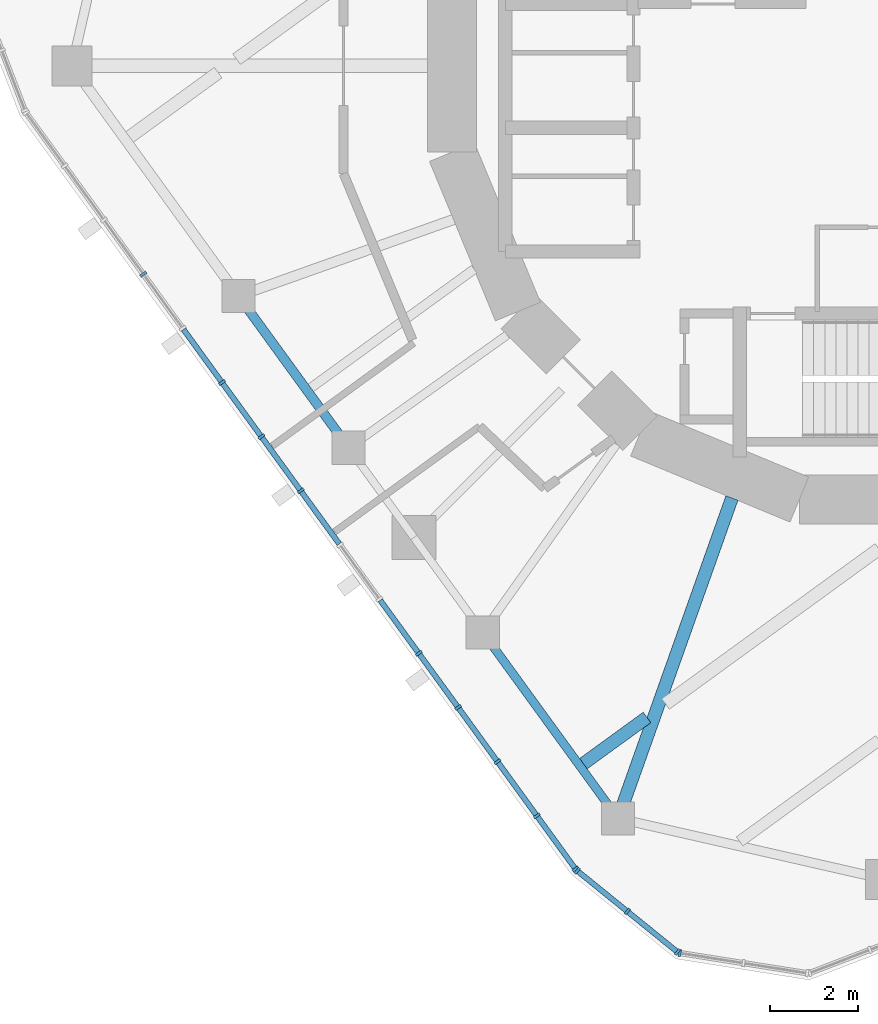
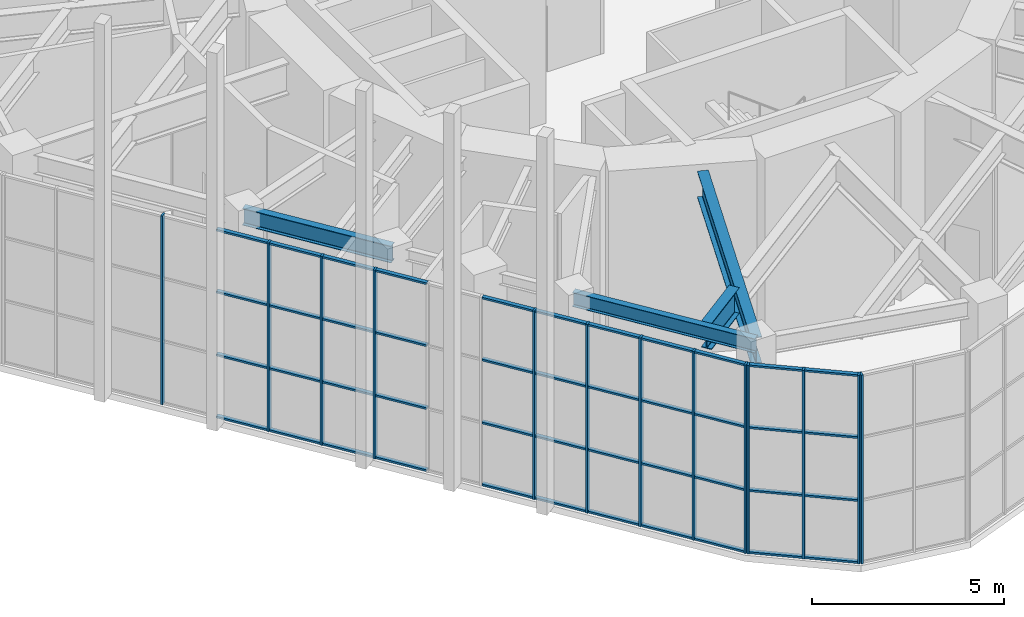
# One storey, part 2 of 17: 57 members, 4 beams, 3 elements without a shape of their own.
"""IFC4 building model written with IfcOpenShell, lengths in metres."""

from ifc_helpers import new_model, si_unit, direction, frame, origin, origin_2d, place, context, subcontext, project, spatial, rectangle, i_section, extrude, material, material_profile, profile_set, type_object, element, aggregate, save


model = new_model("IFC4")

# Units and contexts
model_context = context("Model", 3, precision=1e-05, world=origin(), true_north=direction((0.0, 1.0)))
body_context = subcontext(model_context, "Body", "Model", "MODEL_VIEW")
ifc_project = project(units=[si_unit("LENGTHUNIT", "METRE"), si_unit("AREAUNIT", "SQUARE_METRE"), si_unit("VOLUMEUNIT", "CUBIC_METRE"), si_unit("PLANEANGLEUNIT", "RADIAN"), si_unit("MASSUNIT", "GRAM", prefix="KILO")], contexts=[model_context])

# Site, building, storey
site_placement = place(None, origin())
site = spatial("IfcSite", under=ifc_project, at=site_placement, CompositionType="ELEMENT")
building_placement = place(site_placement, origin())
building = spatial("IfcBuilding", under=site, at=building_placement, Name="Nakasero Lantern House", CompositionType="ELEMENT")
storey_placement = place(building_placement, frame((0.0, 0.0, 298.39990234375)))
storey = spatial("IfcBuildingStorey", under=building, at=storey_placement, Name="L73", CompositionType="ELEMENT", Elevation=298.39990234375)

# Beam
ifc_material_1 = material(Name="Steel S355", Category="steel")
ifc_material_profile_1 = material_profile(ifc_material_1, i_section(OverallWidth=0.29248046875, OverallDepth=0.8408203125, WebThickness=0.0146484375, FlangeThickness=0.02685546875, FilletRadius=0.017822265625, at=origin_2d()), Name="UB 838x292x194")
ifc_profile_set_1 = profile_set([ifc_material_profile_1], Name="Steel S355")
beam_type_1 = type_object("IfcBeamType", Name="Infill beam UB 838x292x194", PredefinedType="JOIST", material=ifc_profile_set_1)
beam_1_placement = place(storey_placement, frame((-6.83447265625, -15.781005859375, 5.379638671875), z_axis=(0.809008801443, 0.587796528731, 0.0), x_axis=(-0.587796528731, 0.809008801443, 0.0)))
element("IfcBeam", 1, at=beam_1_placement, inside=storey, type_object=beam_type_1, Name="Infill beam L74 04.1", PredefinedType="JOIST", context=body_context, shape_type="SweptSolid", body=[
    extrude(i_section(OverallWidth=0.29248046875, OverallDepth=0.8408203125, WebThickness=0.0146484375, FlangeThickness=0.02685546875, FilletRadius=0.017822265625, at=origin_2d()), origin(), (0.0, 0.0, 1.0), 1.7802734375),
])

# Curtain wall, members
ifc_material_2 = material(Name="Aluminium 6063-T6 and glass", Category="aluminium")
curtain_wall_type = type_object("IfcCurtainWallType", Name="Lantern glazing CW-4", PredefinedType="USERDEFINED", material=ifc_material_2)
curtain_wall_1_placement = place(storey_placement, origin())
curtain_wall_1 = element("IfcCurtainWall", 2, at=curtain_wall_1_placement, inside=storey, type_object=curtain_wall_type, Name="Curtain wall CW-4 L73", ObjectType="UNITISED CURTAIN WALL", PredefinedType="USERDEFINED")
ifc_material_3 = material(Name="Aluminium 6063-T6", Category="aluminium")
ifc_material_profile_2 = material_profile(ifc_material_3, rectangle(XDim=0.06005859375, YDim=0.159912109375, at=origin_2d()), Name="CW-4 mullion 60x160")
ifc_profile_set_2 = profile_set([ifc_material_profile_2], Name="Aluminium 6063-T6")
member_type_1 = type_object("IfcMemberType", Name="Mullion CW-4", PredefinedType="MULLION", material=ifc_profile_set_2)
member_1_placement = place(storey_placement, frame((-16.787841796875, -4.7099609375, 0.0), z_axis=(0.0, 0.0, 1.0), x_axis=(0.587785252292, -0.809016994375, 0.0)))
member_1 = element("IfcMember", 3, at=member_1_placement, type_object=member_type_1, Name="CW-4 mullion 4", PredefinedType="MULLION", context=body_context, shape_type="SweptSolid", body=[
    extrude(rectangle(XDim=0.06005859375, YDim=0.159912109375, at=origin_2d()), origin(), (0.0, 0.0, 1.0), 6.0),
])
member_2_placement = place(storey_placement, frame((-15.007568359375, -7.16015625, 0.0), z_axis=(0.0, 0.0, 1.0), x_axis=(0.587785252292, -0.809016994375, 0.0)))
member_2 = element("IfcMember", 4, at=member_2_placement, type_object=member_type_1, Name="CW-4 mullion 6", PredefinedType="MULLION", context=body_context, shape_type="SweptSolid", body=[
    extrude(rectangle(XDim=0.06005859375, YDim=0.159912109375, at=origin_2d()), origin(), (0.0, 0.0, 1.0), 6.0),
])
member_3_placement = place(storey_placement, frame((-14.117431640625, -8.38525390625, 0.0), z_axis=(0.0, 0.0, 1.0), x_axis=(0.587785252292, -0.809016994375, 0.0)))
member_3 = element("IfcMember", 5, at=member_3_placement, type_object=member_type_1, Name="CW-4 mullion 7", PredefinedType="MULLION", context=body_context, shape_type="SweptSolid", body=[
    extrude(rectangle(XDim=0.06005859375, YDim=0.159912109375, at=origin_2d()), origin(), (0.0, 0.0, 1.0), 6.0),
])
member_4_placement = place(storey_placement, frame((-13.2275390625, -9.6103515625, 0.0), z_axis=(0.0, 0.0, 1.0), x_axis=(0.587785252292, -0.809016994375, 0.0)))
member_4 = element("IfcMember", 6, at=member_4_placement, type_object=member_type_1, Name="CW-4 mullion 8", PredefinedType="MULLION", context=body_context, shape_type="SweptSolid", body=[
    extrude(rectangle(XDim=0.06005859375, YDim=0.159912109375, at=origin_2d()), origin(), (0.0, 0.0, 1.0), 6.0),
])
member_5_placement = place(storey_placement, frame((-10.55712890625, -13.28564453125, 0.0), z_axis=(0.0, 0.0, 1.0), x_axis=(0.587785252292, -0.809016994375, 0.0)))
member_5 = element("IfcMember", 7, at=member_5_placement, type_object=member_type_1, Name="CW-4 mullion 11", PredefinedType="MULLION", context=body_context, shape_type="SweptSolid", body=[
    extrude(rectangle(XDim=0.06005859375, YDim=0.159912109375, at=origin_2d()), origin(), (0.0, 0.0, 1.0), 6.0),
])
member_6_placement = place(storey_placement, frame((-9.667236328125, -14.5107421875, 0.0), z_axis=(0.0, 0.0, 1.0), x_axis=(0.587785252292, -0.809016994375, 0.0)))
member_6 = element("IfcMember", 8, at=member_6_placement, type_object=member_type_1, Name="CW-4 mullion 12", PredefinedType="MULLION", context=body_context, shape_type="SweptSolid", body=[
    extrude(rectangle(XDim=0.06005859375, YDim=0.159912109375, at=origin_2d()), origin(), (0.0, 0.0, 1.0), 6.0),
])
member_7_placement = place(storey_placement, frame((-8.777099609375, -15.735595703125, 0.0), z_axis=(0.0, 0.0, 1.0), x_axis=(0.587785252292, -0.809016994375, 0.0)))
member_7 = element("IfcMember", 9, at=member_7_placement, type_object=member_type_1, Name="CW-4 mullion 13", PredefinedType="MULLION", context=body_context, shape_type="SweptSolid", body=[
    extrude(rectangle(XDim=0.06005859375, YDim=0.159912109375, at=origin_2d()), origin(), (0.0, 0.0, 1.0), 6.0),
])
member_8_placement = place(storey_placement, frame((-7.886962890625, -16.960693359375, 0.0), z_axis=(0.0, 0.0, 1.0), x_axis=(0.587785252292, -0.809016994375, 0.0)))
member_8 = element("IfcMember", 10, at=member_8_placement, type_object=member_type_1, Name="CW-4 mullion 14", PredefinedType="MULLION", context=body_context, shape_type="SweptSolid", body=[
    extrude(rectangle(XDim=0.06005859375, YDim=0.159912109375, at=origin_2d()), origin(), (0.0, 0.0, 1.0), 6.0),
])
member_9_placement = place(storey_placement, frame((-7.0146484375, -18.16162109375, 0.0), z_axis=(0.0, 0.0, 1.0), x_axis=(0.587785252292, -0.809016994375, 0.0)))
member_9 = element("IfcMember", 11, at=member_9_placement, type_object=member_type_1, Name="CW-4 mullion 15", PredefinedType="MULLION", context=body_context, shape_type="SweptSolid", body=[
    extrude(rectangle(XDim=0.06005859375, YDim=0.159912109375, at=origin_2d()), origin(), (0.0, 0.0, 1.0), 6.0),
])

curtain_wall_2_placement = place(storey_placement, origin())
curtain_wall_2 = element("IfcCurtainWall", 12, at=curtain_wall_2_placement, inside=storey, type_object=curtain_wall_type, Name="Curtain wall CW-4 L73", ObjectType="UNITISED CURTAIN WALL", PredefinedType="USERDEFINED")
member_10_placement = place(storey_placement, frame((-6.9736328125, -18.204833984375, 0.0), z_axis=(0.0, 0.0, 1.0), x_axis=(0.777145961457, -0.62932039105, 0.0)))
member_10 = element("IfcMember", 13, at=member_10_placement, type_object=member_type_1, Name="CW-4 mullion 1", PredefinedType="MULLION", context=body_context, shape_type="SweptSolid", body=[
    extrude(rectangle(XDim=0.06005859375, YDim=0.159912109375, at=origin_2d()), origin(), (0.0, 0.0, 1.0), 6.0),
])
member_11_placement = place(storey_placement, frame((-5.84033203125, -19.122314453125, 0.0), z_axis=(0.0, 0.0, 1.0), x_axis=(0.777145961457, -0.62932039105, 0.0)))
member_11 = element("IfcMember", 14, at=member_11_placement, type_object=member_type_1, Name="CW-4 mullion 2", PredefinedType="MULLION", context=body_context, shape_type="SweptSolid", body=[
    extrude(rectangle(XDim=0.06005859375, YDim=0.159912109375, at=origin_2d()), origin(), (0.0, 0.0, 1.0), 6.0),
])
member_12_placement = place(storey_placement, frame((-4.70703125, -20.0400390625, 0.0), z_axis=(0.0, 0.0, 1.0), x_axis=(0.777145961457, -0.62932039105, 0.0)))
member_12 = element("IfcMember", 15, at=member_12_placement, type_object=member_type_1, Name="CW-4 mullion 3", PredefinedType="MULLION", context=body_context, shape_type="SweptSolid", body=[
    extrude(rectangle(XDim=0.06005859375, YDim=0.159912109375, at=origin_2d()), origin(), (0.0, 0.0, 1.0), 6.0),
])

# Curtain wall, member
curtain_wall_3_placement = place(storey_placement, origin())
curtain_wall_3 = element("IfcCurtainWall", 16, at=curtain_wall_3_placement, inside=storey, type_object=curtain_wall_type, Name="Curtain wall CW-4 L73", ObjectType="UNITISED CURTAIN WALL", PredefinedType="USERDEFINED")
member_13_placement = place(storey_placement, frame((-4.654052734375, -20.063720703125, 0.0), z_axis=(0.0, 0.0, 1.0), x_axis=(0.987688340595, -0.15643446504, 0.0)))
member_13 = element("IfcMember", 17, at=member_13_placement, type_object=member_type_1, Name="CW-4 mullion 1", PredefinedType="MULLION", context=body_context, shape_type="SweptSolid", body=[
    extrude(rectangle(XDim=0.06005859375, YDim=0.159912109375, at=origin_2d()), origin(), (0.0, 0.0, 1.0), 6.0),
])
aggregate(curtain_wall_3, [member_13])

# Beams
ifc_material_4 = material(Name="Steel S355", Category="steel")
ifc_material_profile_3 = material_profile(ifc_material_4, i_section(OverallWidth=0.29248046875, OverallDepth=0.8408203125, WebThickness=0.0146484375, FlangeThickness=0.02685546875, FilletRadius=0.017822265625, at=origin_2d()), Name="UB 838x292x194")
ifc_profile_set_3 = profile_set([ifc_material_profile_3], Name="Steel S355")
beam_type_2 = type_object("IfcBeamType", Name="Primary beam UB 838x292x194, span 6 to 9 m", PredefinedType="BEAM", material=ifc_profile_set_3)
beam_2_placement = place(storey_placement, frame((-6.051513671875, -17.02001953125, 5.379638671875), z_axis=(0.334989005521, 0.942222036561, 0.0), x_axis=(-0.942222036561, 0.334989005521, 0.0)))
element("IfcBeam", 18, at=beam_2_placement, inside=storey, type_object=beam_type_2, Name="Primary beam L74 B7-C20", PredefinedType="BEAM", context=body_context, shape_type="SweptSolid", body=[
    extrude(i_section(OverallWidth=0.29248046875, OverallDepth=0.8408203125, WebThickness=0.0146484375, FlangeThickness=0.02685546875, FilletRadius=0.017822265625, at=origin_2d()), origin(), (0.0, 0.0, 1.0), 7.6923828125),
])
ifc_material_5 = material(Name="Steel S355", Category="steel")
ifc_material_profile_4 = material_profile(ifc_material_5, i_section(OverallWidth=0.18994140625, OverallDepth=0.453369140625, WebThickness=0.008544921875, FlangeThickness=0.0126953125, FilletRadius=0.01025390625, at=origin_2d()), Name="UB 457x191x67")
ifc_profile_set_4 = profile_set([ifc_material_profile_4], Name="Steel S355")
beam_type_3 = type_object("IfcBeamType", Name="Ring beam UB 457x191x67", PredefinedType="BEAM", material=ifc_profile_set_4)
beam_3_placement = place(storey_placement, frame((-9.10986328125, -12.810791015625, 5.573486328125), z_axis=(0.587806144414, -0.809001814948, 0.0), x_axis=(0.809001814948, 0.587806144414, 0.0)))
element("IfcBeam", 19, at=beam_3_placement, inside=storey, type_object=beam_type_3, Name="Ring beam L74 B7-C19", PredefinedType="BEAM", context=body_context, shape_type="SweptSolid", body=[
    extrude(i_section(OverallWidth=0.18994140625, OverallDepth=0.453369140625, WebThickness=0.008544921875, FlangeThickness=0.0126953125, FilletRadius=0.01025390625, at=origin_2d()), origin(), (0.0, 0.0, 1.0), 5.202880859375),
])
ifc_material_6 = material(Name="Steel S355", Category="steel")
ifc_material_profile_5 = material_profile(ifc_material_6, i_section(OverallWidth=0.2099609375, OverallDepth=0.53662109375, WebThickness=0.0107421875, FlangeThickness=0.017333984375, FilletRadius=0.0126953125, at=origin_2d()), Name="UB 533x210x101")
ifc_profile_set_5 = profile_set([ifc_material_profile_5], Name="Steel S355")
beam_type_4 = type_object("IfcBeamType", Name="Ring beam UB 533x210x101", PredefinedType="BEAM", material=ifc_profile_set_5)
beam_4_placement = place(storey_placement, frame((-14.636474609375, -5.2041015625, 5.53173828125), z_axis=(0.587791706687, -0.809012304944, 0.0), x_axis=(0.809012304944, 0.587791706687, 0.0)))
element("IfcBeam", 20, at=beam_4_placement, inside=storey, type_object=beam_type_4, Name="Ring beam L74 B7-C16", PredefinedType="BEAM", context=body_context, shape_type="SweptSolid", body=[
    extrude(i_section(OverallWidth=0.2099609375, OverallDepth=0.53662109375, WebThickness=0.0107421875, FlangeThickness=0.017333984375, FilletRadius=0.0126953125, at=origin_2d()), origin(), (0.0, 0.0, 1.0), 4.2412109375),
])

# Member
ifc_material_7 = material(Name="Aluminium 6063-T6", Category="aluminium")
ifc_material_profile_6 = material_profile(ifc_material_7, rectangle(XDim=0.06005859375, YDim=0.1201171875, at=origin_2d()), Name="CW-4 transom 60x120")
ifc_profile_set_6 = profile_set([ifc_material_profile_6], Name="Aluminium 6063-T6")
member_type_2 = type_object("IfcMemberType", Name="Transom CW-4", PredefinedType="USERDEFINED", material=ifc_profile_set_6)
member_14_placement = place(storey_placement, frame((-15.880126953125, -5.959228515625, 0.030029296875), z_axis=(0.587872217916, -0.808953803009, 0.0), x_axis=(0.0, 0.0, 1.0)))
member_14 = element("IfcMember", 21, at=member_14_placement, type_object=member_type_2, Name="CW-4 transom 5.1", ObjectType="TRANSOM", PredefinedType="USERDEFINED", context=body_context, shape_type="SweptSolid", body=[
    extrude(rectangle(XDim=0.06005859375, YDim=0.1201171875, at=origin_2d()), origin(), (0.0, 0.0, 1.0), 1.454345703125),
])

member_15_placement = place(storey_placement, frame((-15.880126953125, -5.959228515625, 2.0), z_axis=(0.587872217916, -0.808953803009, 0.0), x_axis=(0.0, 0.0, 1.0)))
member_15 = element("IfcMember", 22, at=member_15_placement, type_object=member_type_2, Name="CW-4 transom 5.2", ObjectType="TRANSOM", PredefinedType="USERDEFINED", context=body_context, shape_type="SweptSolid", body=[
    extrude(rectangle(XDim=0.06005859375, YDim=0.1201171875, at=origin_2d()), origin(), (0.0, 0.0, 1.0), 1.454345703125),
])

member_16_placement = place(storey_placement, frame((-15.880126953125, -5.959228515625, 4.0), z_axis=(0.587872217916, -0.808953803009, 0.0), x_axis=(0.0, 0.0, 1.0)))
member_16 = element("IfcMember", 23, at=member_16_placement, type_object=member_type_2, Name="CW-4 transom 5.3", ObjectType="TRANSOM", PredefinedType="USERDEFINED", context=body_context, shape_type="SweptSolid", body=[
    extrude(rectangle(XDim=0.06005859375, YDim=0.1201171875, at=origin_2d()), origin(), (0.0, 0.0, 1.0), 1.454345703125),
])

member_17_placement = place(storey_placement, frame((-15.880126953125, -5.959228515625, 5.97021484375), z_axis=(0.587872217916, -0.808953803009, 0.0), x_axis=(0.0, 0.0, 1.0)))
member_17 = element("IfcMember", 24, at=member_17_placement, type_object=member_type_2, Name="CW-4 transom 5.4", ObjectType="TRANSOM", PredefinedType="USERDEFINED", context=body_context, shape_type="SweptSolid", body=[
    extrude(rectangle(XDim=0.06005859375, YDim=0.1201171875, at=origin_2d()), origin(), (0.0, 0.0, 1.0), 1.454345703125),
])

member_18_placement = place(storey_placement, frame((-14.989990234375, -7.184326171875, 0.030029296875), z_axis=(0.587762348068, -0.809033634773, 0.0), x_axis=(0.0, 0.0, 1.0)))
member_18 = element("IfcMember", 25, at=member_18_placement, type_object=member_type_2, Name="CW-4 transom 6.1", ObjectType="TRANSOM", PredefinedType="USERDEFINED", context=body_context, shape_type="SweptSolid", body=[
    extrude(rectangle(XDim=0.06005859375, YDim=0.1201171875, at=origin_2d()), origin(), (0.0, 0.0, 1.0), 1.4541015625),
])

member_19_placement = place(storey_placement, frame((-14.989990234375, -7.184326171875, 2.0), z_axis=(0.587762348068, -0.809033634773, 0.0), x_axis=(0.0, 0.0, 1.0)))
member_19 = element("IfcMember", 26, at=member_19_placement, type_object=member_type_2, Name="CW-4 transom 6.2", ObjectType="TRANSOM", PredefinedType="USERDEFINED", context=body_context, shape_type="SweptSolid", body=[
    extrude(rectangle(XDim=0.06005859375, YDim=0.1201171875, at=origin_2d()), origin(), (0.0, 0.0, 1.0), 1.4541015625),
])

member_20_placement = place(storey_placement, frame((-14.989990234375, -7.184326171875, 4.0), z_axis=(0.587762348068, -0.809033634773, 0.0), x_axis=(0.0, 0.0, 1.0)))
member_20 = element("IfcMember", 27, at=member_20_placement, type_object=member_type_2, Name="CW-4 transom 6.3", ObjectType="TRANSOM", PredefinedType="USERDEFINED", context=body_context, shape_type="SweptSolid", body=[
    extrude(rectangle(XDim=0.06005859375, YDim=0.1201171875, at=origin_2d()), origin(), (0.0, 0.0, 1.0), 1.4541015625),
])

member_21_placement = place(storey_placement, frame((-14.989990234375, -7.184326171875, 5.97021484375), z_axis=(0.587762348068, -0.809033634773, 0.0), x_axis=(0.0, 0.0, 1.0)))
member_21 = element("IfcMember", 28, at=member_21_placement, type_object=member_type_2, Name="CW-4 transom 6.4", ObjectType="TRANSOM", PredefinedType="USERDEFINED", context=body_context, shape_type="SweptSolid", body=[
    extrude(rectangle(XDim=0.06005859375, YDim=0.1201171875, at=origin_2d()), origin(), (0.0, 0.0, 1.0), 1.4541015625),
])

member_22_placement = place(storey_placement, frame((-14.099853515625, -8.409423828125, 0.030029296875), z_axis=(0.587762348068, -0.809033634773, 0.0), x_axis=(0.0, 0.0, 1.0)))
member_22 = element("IfcMember", 29, at=member_22_placement, type_object=member_type_2, Name="CW-4 transom 7.1", ObjectType="TRANSOM", PredefinedType="USERDEFINED", context=body_context, shape_type="SweptSolid", body=[
    extrude(rectangle(XDim=0.06005859375, YDim=0.1201171875, at=origin_2d()), origin(), (0.0, 0.0, 1.0), 1.4541015625),
])

member_23_placement = place(storey_placement, frame((-14.099853515625, -8.409423828125, 2.0), z_axis=(0.587762348068, -0.809033634773, 0.0), x_axis=(0.0, 0.0, 1.0)))
member_23 = element("IfcMember", 30, at=member_23_placement, type_object=member_type_2, Name="CW-4 transom 7.2", ObjectType="TRANSOM", PredefinedType="USERDEFINED", context=body_context, shape_type="SweptSolid", body=[
    extrude(rectangle(XDim=0.06005859375, YDim=0.1201171875, at=origin_2d()), origin(), (0.0, 0.0, 1.0), 1.4541015625),
])

member_24_placement = place(storey_placement, frame((-14.099853515625, -8.409423828125, 4.0), z_axis=(0.587762348068, -0.809033634773, 0.0), x_axis=(0.0, 0.0, 1.0)))
member_24 = element("IfcMember", 31, at=member_24_placement, type_object=member_type_2, Name="CW-4 transom 7.3", ObjectType="TRANSOM", PredefinedType="USERDEFINED", context=body_context, shape_type="SweptSolid", body=[
    extrude(rectangle(XDim=0.06005859375, YDim=0.1201171875, at=origin_2d()), origin(), (0.0, 0.0, 1.0), 1.4541015625),
])

member_25_placement = place(storey_placement, frame((-14.099853515625, -8.409423828125, 5.97021484375), z_axis=(0.587762348068, -0.809033634773, 0.0), x_axis=(0.0, 0.0, 1.0)))
member_25 = element("IfcMember", 32, at=member_25_placement, type_object=member_type_2, Name="CW-4 transom 7.4", ObjectType="TRANSOM", PredefinedType="USERDEFINED", context=body_context, shape_type="SweptSolid", body=[
    extrude(rectangle(XDim=0.06005859375, YDim=0.1201171875, at=origin_2d()), origin(), (0.0, 0.0, 1.0), 1.4541015625),
])

member_26_placement = place(storey_placement, frame((-13.209716796875, -9.634521484375, 0.030029296875), z_axis=(0.587762348068, -0.809033634773, 0.0), x_axis=(0.0, 0.0, 1.0)))
member_26 = element("IfcMember", 33, at=member_26_placement, type_object=member_type_2, Name="CW-4 transom 8.1", ObjectType="TRANSOM", PredefinedType="USERDEFINED", context=body_context, shape_type="SweptSolid", body=[
    extrude(rectangle(XDim=0.06005859375, YDim=0.1201171875, at=origin_2d()), origin(), (0.0, 0.0, 1.0), 1.4541015625),
])

member_27_placement = place(storey_placement, frame((-13.209716796875, -9.634521484375, 2.0), z_axis=(0.587762348068, -0.809033634773, 0.0), x_axis=(0.0, 0.0, 1.0)))
member_27 = element("IfcMember", 34, at=member_27_placement, type_object=member_type_2, Name="CW-4 transom 8.2", ObjectType="TRANSOM", PredefinedType="USERDEFINED", context=body_context, shape_type="SweptSolid", body=[
    extrude(rectangle(XDim=0.06005859375, YDim=0.1201171875, at=origin_2d()), origin(), (0.0, 0.0, 1.0), 1.4541015625),
])

member_28_placement = place(storey_placement, frame((-13.209716796875, -9.634521484375, 4.0), z_axis=(0.587762348068, -0.809033634773, 0.0), x_axis=(0.0, 0.0, 1.0)))
member_28 = element("IfcMember", 35, at=member_28_placement, type_object=member_type_2, Name="CW-4 transom 8.3", ObjectType="TRANSOM", PredefinedType="USERDEFINED", context=body_context, shape_type="SweptSolid", body=[
    extrude(rectangle(XDim=0.06005859375, YDim=0.1201171875, at=origin_2d()), origin(), (0.0, 0.0, 1.0), 1.4541015625),
])

member_29_placement = place(storey_placement, frame((-13.209716796875, -9.634521484375, 5.97021484375), z_axis=(0.587762348068, -0.809033634773, 0.0), x_axis=(0.0, 0.0, 1.0)))
member_29 = element("IfcMember", 36, at=member_29_placement, type_object=member_type_2, Name="CW-4 transom 8.4", ObjectType="TRANSOM", PredefinedType="USERDEFINED", context=body_context, shape_type="SweptSolid", body=[
    extrude(rectangle(XDim=0.06005859375, YDim=0.1201171875, at=origin_2d()), origin(), (0.0, 0.0, 1.0), 1.4541015625),
])

member_30_placement = place(storey_placement, frame((-11.4296875, -12.084716796875, 0.030029296875), z_axis=(0.587762348068, -0.809033634773, 0.0), x_axis=(0.0, 0.0, 1.0)))
member_30 = element("IfcMember", 37, at=member_30_placement, type_object=member_type_2, Name="CW-4 transom 10.1", ObjectType="TRANSOM", PredefinedType="USERDEFINED", context=body_context, shape_type="SweptSolid", body=[
    extrude(rectangle(XDim=0.06005859375, YDim=0.1201171875, at=origin_2d()), origin(), (0.0, 0.0, 1.0), 1.4541015625),
])

member_31_placement = place(storey_placement, frame((-11.4296875, -12.084716796875, 2.0), z_axis=(0.587762348068, -0.809033634773, 0.0), x_axis=(0.0, 0.0, 1.0)))
member_31 = element("IfcMember", 38, at=member_31_placement, type_object=member_type_2, Name="CW-4 transom 10.2", ObjectType="TRANSOM", PredefinedType="USERDEFINED", context=body_context, shape_type="SweptSolid", body=[
    extrude(rectangle(XDim=0.06005859375, YDim=0.1201171875, at=origin_2d()), origin(), (0.0, 0.0, 1.0), 1.4541015625),
])

member_32_placement = place(storey_placement, frame((-11.4296875, -12.084716796875, 4.0), z_axis=(0.587762348068, -0.809033634773, 0.0), x_axis=(0.0, 0.0, 1.0)))
member_32 = element("IfcMember", 39, at=member_32_placement, type_object=member_type_2, Name="CW-4 transom 10.3", ObjectType="TRANSOM", PredefinedType="USERDEFINED", context=body_context, shape_type="SweptSolid", body=[
    extrude(rectangle(XDim=0.06005859375, YDim=0.1201171875, at=origin_2d()), origin(), (0.0, 0.0, 1.0), 1.4541015625),
])

member_33_placement = place(storey_placement, frame((-11.4296875, -12.084716796875, 5.97021484375), z_axis=(0.587762348068, -0.809033634773, 0.0), x_axis=(0.0, 0.0, 1.0)))
member_33 = element("IfcMember", 40, at=member_33_placement, type_object=member_type_2, Name="CW-4 transom 10.4", ObjectType="TRANSOM", PredefinedType="USERDEFINED", context=body_context, shape_type="SweptSolid", body=[
    extrude(rectangle(XDim=0.06005859375, YDim=0.1201171875, at=origin_2d()), origin(), (0.0, 0.0, 1.0), 1.4541015625),
])

member_34_placement = place(storey_placement, frame((-10.53955078125, -13.309814453125, 0.030029296875), z_axis=(0.587762348068, -0.809033634773, 0.0), x_axis=(0.0, 0.0, 1.0)))
member_34 = element("IfcMember", 41, at=member_34_placement, type_object=member_type_2, Name="CW-4 transom 11.1", ObjectType="TRANSOM", PredefinedType="USERDEFINED", context=body_context, shape_type="SweptSolid", body=[
    extrude(rectangle(XDim=0.06005859375, YDim=0.1201171875, at=origin_2d()), origin(), (0.0, 0.0, 1.0), 1.4541015625),
])

member_35_placement = place(storey_placement, frame((-10.53955078125, -13.309814453125, 2.0), z_axis=(0.587762348068, -0.809033634773, 0.0), x_axis=(0.0, 0.0, 1.0)))
member_35 = element("IfcMember", 42, at=member_35_placement, type_object=member_type_2, Name="CW-4 transom 11.2", ObjectType="TRANSOM", PredefinedType="USERDEFINED", context=body_context, shape_type="SweptSolid", body=[
    extrude(rectangle(XDim=0.06005859375, YDim=0.1201171875, at=origin_2d()), origin(), (0.0, 0.0, 1.0), 1.4541015625),
])

member_36_placement = place(storey_placement, frame((-10.53955078125, -13.309814453125, 4.0), z_axis=(0.587762348068, -0.809033634773, 0.0), x_axis=(0.0, 0.0, 1.0)))
member_36 = element("IfcMember", 43, at=member_36_placement, type_object=member_type_2, Name="CW-4 transom 11.3", ObjectType="TRANSOM", PredefinedType="USERDEFINED", context=body_context, shape_type="SweptSolid", body=[
    extrude(rectangle(XDim=0.06005859375, YDim=0.1201171875, at=origin_2d()), origin(), (0.0, 0.0, 1.0), 1.4541015625),
])

member_37_placement = place(storey_placement, frame((-10.53955078125, -13.309814453125, 5.97021484375), z_axis=(0.587762348068, -0.809033634773, 0.0), x_axis=(0.0, 0.0, 1.0)))
member_37 = element("IfcMember", 44, at=member_37_placement, type_object=member_type_2, Name="CW-4 transom 11.4", ObjectType="TRANSOM", PredefinedType="USERDEFINED", context=body_context, shape_type="SweptSolid", body=[
    extrude(rectangle(XDim=0.06005859375, YDim=0.1201171875, at=origin_2d()), origin(), (0.0, 0.0, 1.0), 1.4541015625),
])

member_38_placement = place(storey_placement, frame((-9.6494140625, -14.534912109375, 0.030029296875), z_axis=(0.587762348068, -0.809033634773, 0.0), x_axis=(0.0, 0.0, 1.0)))
member_38 = element("IfcMember", 45, at=member_38_placement, type_object=member_type_2, Name="CW-4 transom 12.1", ObjectType="TRANSOM", PredefinedType="USERDEFINED", context=body_context, shape_type="SweptSolid", body=[
    extrude(rectangle(XDim=0.06005859375, YDim=0.1201171875, at=origin_2d()), origin(), (0.0, 0.0, 1.0), 1.4541015625),
])

member_39_placement = place(storey_placement, frame((-9.6494140625, -14.534912109375, 2.0), z_axis=(0.587762348068, -0.809033634773, 0.0), x_axis=(0.0, 0.0, 1.0)))
member_39 = element("IfcMember", 46, at=member_39_placement, type_object=member_type_2, Name="CW-4 transom 12.2", ObjectType="TRANSOM", PredefinedType="USERDEFINED", context=body_context, shape_type="SweptSolid", body=[
    extrude(rectangle(XDim=0.06005859375, YDim=0.1201171875, at=origin_2d()), origin(), (0.0, 0.0, 1.0), 1.4541015625),
])

member_40_placement = place(storey_placement, frame((-9.6494140625, -14.534912109375, 4.0), z_axis=(0.587762348068, -0.809033634773, 0.0), x_axis=(0.0, 0.0, 1.0)))
member_40 = element("IfcMember", 47, at=member_40_placement, type_object=member_type_2, Name="CW-4 transom 12.3", ObjectType="TRANSOM", PredefinedType="USERDEFINED", context=body_context, shape_type="SweptSolid", body=[
    extrude(rectangle(XDim=0.06005859375, YDim=0.1201171875, at=origin_2d()), origin(), (0.0, 0.0, 1.0), 1.4541015625),
])

member_41_placement = place(storey_placement, frame((-9.6494140625, -14.534912109375, 5.97021484375), z_axis=(0.587762348068, -0.809033634773, 0.0), x_axis=(0.0, 0.0, 1.0)))
member_41 = element("IfcMember", 48, at=member_41_placement, type_object=member_type_2, Name="CW-4 transom 12.4", ObjectType="TRANSOM", PredefinedType="USERDEFINED", context=body_context, shape_type="SweptSolid", body=[
    extrude(rectangle(XDim=0.06005859375, YDim=0.1201171875, at=origin_2d()), origin(), (0.0, 0.0, 1.0), 1.4541015625),
])

member_42_placement = place(storey_placement, frame((-8.759521484375, -15.760009765625, 0.030029296875), z_axis=(0.587872217916, -0.808953803009, 0.0), x_axis=(0.0, 0.0, 1.0)))
member_42 = element("IfcMember", 49, at=member_42_placement, type_object=member_type_2, Name="CW-4 transom 13.1", ObjectType="TRANSOM", PredefinedType="USERDEFINED", context=body_context, shape_type="SweptSolid", body=[
    extrude(rectangle(XDim=0.06005859375, YDim=0.1201171875, at=origin_2d()), origin(), (0.0, 0.0, 1.0), 1.454345703125),
])

member_43_placement = place(storey_placement, frame((-8.759521484375, -15.760009765625, 2.0), z_axis=(0.587872217916, -0.808953803009, 0.0), x_axis=(0.0, 0.0, 1.0)))
member_43 = element("IfcMember", 50, at=member_43_placement, type_object=member_type_2, Name="CW-4 transom 13.2", ObjectType="TRANSOM", PredefinedType="USERDEFINED", context=body_context, shape_type="SweptSolid", body=[
    extrude(rectangle(XDim=0.06005859375, YDim=0.1201171875, at=origin_2d()), origin(), (0.0, 0.0, 1.0), 1.454345703125),
])

member_44_placement = place(storey_placement, frame((-8.759521484375, -15.760009765625, 4.0), z_axis=(0.587872217916, -0.808953803009, 0.0), x_axis=(0.0, 0.0, 1.0)))
member_44 = element("IfcMember", 51, at=member_44_placement, type_object=member_type_2, Name="CW-4 transom 13.3", ObjectType="TRANSOM", PredefinedType="USERDEFINED", context=body_context, shape_type="SweptSolid", body=[
    extrude(rectangle(XDim=0.06005859375, YDim=0.1201171875, at=origin_2d()), origin(), (0.0, 0.0, 1.0), 1.454345703125),
])

member_45_placement = place(storey_placement, frame((-8.759521484375, -15.760009765625, 5.97021484375), z_axis=(0.587872217916, -0.808953803009, 0.0), x_axis=(0.0, 0.0, 1.0)))
member_45 = element("IfcMember", 52, at=member_45_placement, type_object=member_type_2, Name="CW-4 transom 13.4", ObjectType="TRANSOM", PredefinedType="USERDEFINED", context=body_context, shape_type="SweptSolid", body=[
    extrude(rectangle(XDim=0.06005859375, YDim=0.1201171875, at=origin_2d()), origin(), (0.0, 0.0, 1.0), 1.454345703125),
])

member_46_placement = place(storey_placement, frame((-7.869384765625, -16.985107421875, 0.030029296875), z_axis=(0.587835272309, -0.808980650343, 0.0), x_axis=(0.0, 0.0, 1.0)))
member_46 = element("IfcMember", 53, at=member_46_placement, type_object=member_type_2, Name="CW-4 transom 14.1", ObjectType="TRANSOM", PredefinedType="USERDEFINED", context=body_context, shape_type="SweptSolid", body=[
    extrude(rectangle(XDim=0.06005859375, YDim=0.1201171875, at=origin_2d()), origin(), (0.0, 0.0, 1.0), 1.424072265625),
])

member_47_placement = place(storey_placement, frame((-7.869384765625, -16.985107421875, 2.0), z_axis=(0.587835272309, -0.808980650343, 0.0), x_axis=(0.0, 0.0, 1.0)))
member_47 = element("IfcMember", 54, at=member_47_placement, type_object=member_type_2, Name="CW-4 transom 14.2", ObjectType="TRANSOM", PredefinedType="USERDEFINED", context=body_context, shape_type="SweptSolid", body=[
    extrude(rectangle(XDim=0.06005859375, YDim=0.1201171875, at=origin_2d()), origin(), (0.0, 0.0, 1.0), 1.424072265625),
])

member_48_placement = place(storey_placement, frame((-7.869384765625, -16.985107421875, 4.0), z_axis=(0.587835272309, -0.808980650343, 0.0), x_axis=(0.0, 0.0, 1.0)))
member_48 = element("IfcMember", 55, at=member_48_placement, type_object=member_type_2, Name="CW-4 transom 14.3", ObjectType="TRANSOM", PredefinedType="USERDEFINED", context=body_context, shape_type="SweptSolid", body=[
    extrude(rectangle(XDim=0.06005859375, YDim=0.1201171875, at=origin_2d()), origin(), (0.0, 0.0, 1.0), 1.424072265625),
])

member_49_placement = place(storey_placement, frame((-7.869384765625, -16.985107421875, 5.97021484375), z_axis=(0.587835272309, -0.808980650343, 0.0), x_axis=(0.0, 0.0, 1.0)))
member_49 = element("IfcMember", 56, at=member_49_placement, type_object=member_type_2, Name="CW-4 transom 14.4", ObjectType="TRANSOM", PredefinedType="USERDEFINED", context=body_context, shape_type="SweptSolid", body=[
    extrude(rectangle(XDim=0.06005859375, YDim=0.1201171875, at=origin_2d()), origin(), (0.0, 0.0, 1.0), 1.424072265625),
])

aggregate(curtain_wall_1, [member_1, member_2, member_3, member_4, member_5, member_6, member_7, member_8, member_9, member_14, member_15, member_16, member_17, member_18, member_19, member_20, member_21, member_22, member_23, member_24, member_25, member_26, member_27, member_28, member_29, member_30, member_31, member_32, member_33, member_34, member_35, member_36, member_37, member_38, member_39, member_40, member_41, member_42, member_43, member_44, member_45, member_46, member_47, member_48, member_49])

member_50_placement = place(storey_placement, frame((-6.9501953125, -18.2236328125, 0.030029296875), z_axis=(0.777106582707, -0.629369016646, 0.0), x_axis=(0.0, 0.0, 1.0)))
member_50 = element("IfcMember", 57, at=member_50_placement, type_object=member_type_2, Name="CW-4 transom 1.1", ObjectType="TRANSOM", PredefinedType="USERDEFINED", context=body_context, shape_type="SweptSolid", body=[
    extrude(rectangle(XDim=0.06005859375, YDim=0.1201171875, at=origin_2d()), origin(), (0.0, 0.0, 1.0), 1.39794921875),
])

member_51_placement = place(storey_placement, frame((-6.9501953125, -18.2236328125, 2.0), z_axis=(0.777106582707, -0.629369016646, 0.0), x_axis=(0.0, 0.0, 1.0)))
member_51 = element("IfcMember", 58, at=member_51_placement, type_object=member_type_2, Name="CW-4 transom 1.2", ObjectType="TRANSOM", PredefinedType="USERDEFINED", context=body_context, shape_type="SweptSolid", body=[
    extrude(rectangle(XDim=0.06005859375, YDim=0.1201171875, at=origin_2d()), origin(), (0.0, 0.0, 1.0), 1.39794921875),
])

member_52_placement = place(storey_placement, frame((-6.9501953125, -18.2236328125, 4.0), z_axis=(0.777106582707, -0.629369016646, 0.0), x_axis=(0.0, 0.0, 1.0)))
member_52 = element("IfcMember", 59, at=member_52_placement, type_object=member_type_2, Name="CW-4 transom 1.3", ObjectType="TRANSOM", PredefinedType="USERDEFINED", context=body_context, shape_type="SweptSolid", body=[
    extrude(rectangle(XDim=0.06005859375, YDim=0.1201171875, at=origin_2d()), origin(), (0.0, 0.0, 1.0), 1.39794921875),
])

member_53_placement = place(storey_placement, frame((-6.9501953125, -18.2236328125, 5.97021484375), z_axis=(0.777106582707, -0.629369016646, 0.0), x_axis=(0.0, 0.0, 1.0)))
member_53 = element("IfcMember", 60, at=member_53_placement, type_object=member_type_2, Name="CW-4 transom 1.4", ObjectType="TRANSOM", PredefinedType="USERDEFINED", context=body_context, shape_type="SweptSolid", body=[
    extrude(rectangle(XDim=0.06005859375, YDim=0.1201171875, at=origin_2d()), origin(), (0.0, 0.0, 1.0), 1.39794921875),
])

member_54_placement = place(storey_placement, frame((-5.817138671875, -19.141357421875, 0.030029296875), z_axis=(0.777175740781, -0.629283614868, 0.0), x_axis=(0.0, 0.0, 1.0)))
member_54 = element("IfcMember", 61, at=member_54_placement, type_object=member_type_2, Name="CW-4 transom 2.1", ObjectType="TRANSOM", PredefinedType="USERDEFINED", context=body_context, shape_type="SweptSolid", body=[
    extrude(rectangle(XDim=0.06005859375, YDim=0.1201171875, at=origin_2d()), origin(), (0.0, 0.0, 1.0), 1.398193359375),
])

member_55_placement = place(storey_placement, frame((-5.817138671875, -19.141357421875, 2.0), z_axis=(0.777175740781, -0.629283614868, 0.0), x_axis=(0.0, 0.0, 1.0)))
member_55 = element("IfcMember", 62, at=member_55_placement, type_object=member_type_2, Name="CW-4 transom 2.2", ObjectType="TRANSOM", PredefinedType="USERDEFINED", context=body_context, shape_type="SweptSolid", body=[
    extrude(rectangle(XDim=0.06005859375, YDim=0.1201171875, at=origin_2d()), origin(), (0.0, 0.0, 1.0), 1.398193359375),
])

member_56_placement = place(storey_placement, frame((-5.817138671875, -19.141357421875, 4.0), z_axis=(0.777175740781, -0.629283614868, 0.0), x_axis=(0.0, 0.0, 1.0)))
member_56 = element("IfcMember", 63, at=member_56_placement, type_object=member_type_2, Name="CW-4 transom 2.3", ObjectType="TRANSOM", PredefinedType="USERDEFINED", context=body_context, shape_type="SweptSolid", body=[
    extrude(rectangle(XDim=0.06005859375, YDim=0.1201171875, at=origin_2d()), origin(), (0.0, 0.0, 1.0), 1.398193359375),
])

member_57_placement = place(storey_placement, frame((-5.817138671875, -19.141357421875, 5.97021484375), z_axis=(0.777175740781, -0.629283614868, 0.0), x_axis=(0.0, 0.0, 1.0)))
member_57 = element("IfcMember", 64, at=member_57_placement, type_object=member_type_2, Name="CW-4 transom 2.4", ObjectType="TRANSOM", PredefinedType="USERDEFINED", context=body_context, shape_type="SweptSolid", body=[
    extrude(rectangle(XDim=0.06005859375, YDim=0.1201171875, at=origin_2d()), origin(), (0.0, 0.0, 1.0), 1.398193359375),
])

aggregate(curtain_wall_2, [member_10, member_11, member_12, member_50, member_51, member_52, member_53, member_54, member_55, member_56, member_57])

save(model, "model.ifc")
